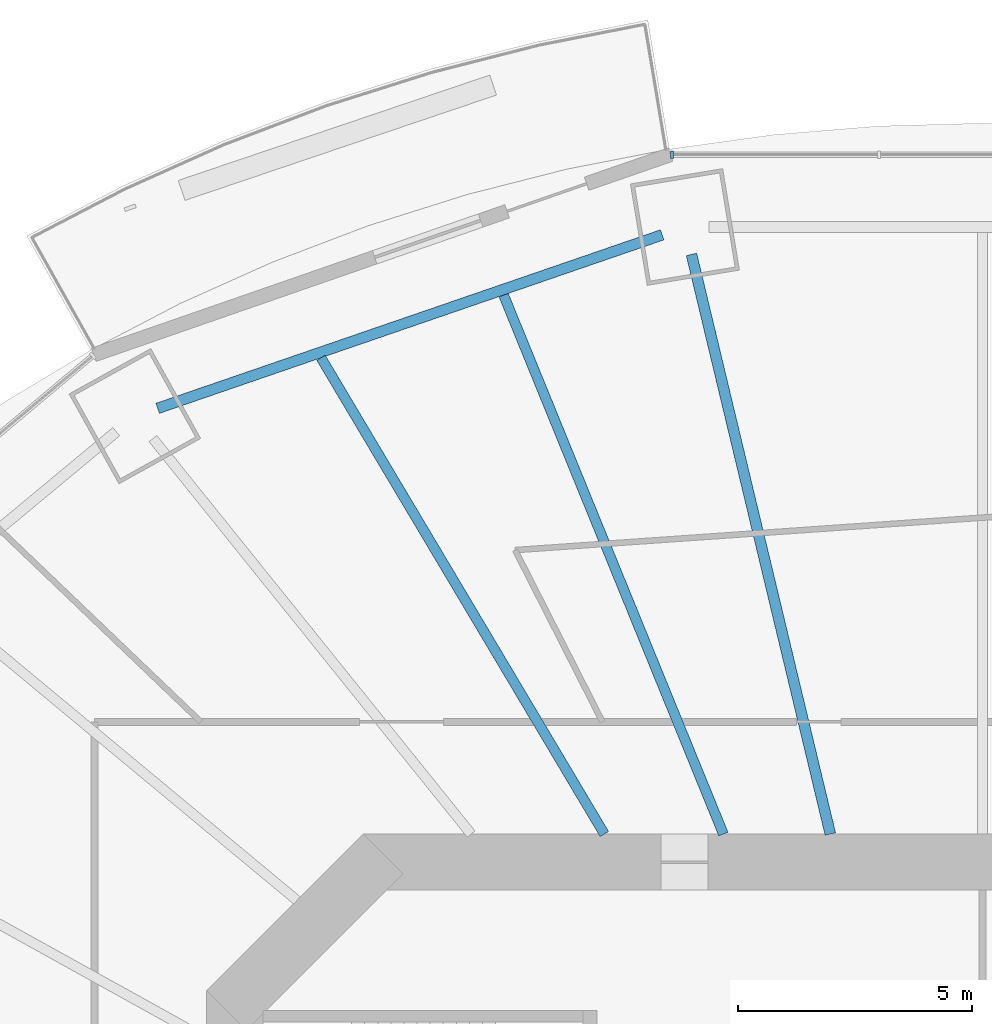
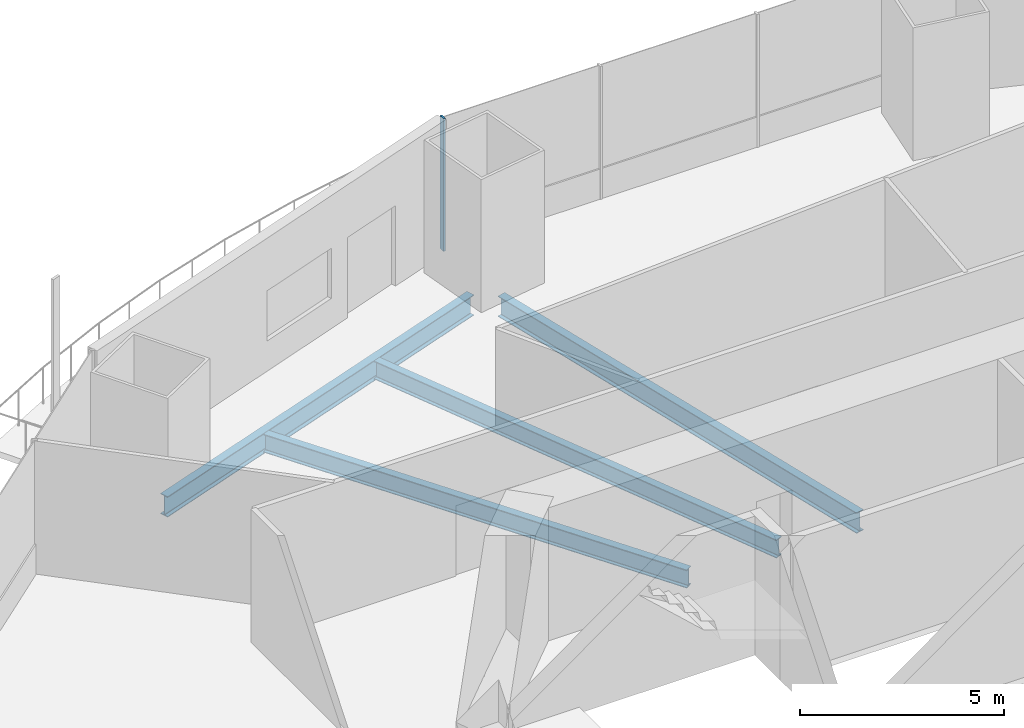
# One storey, part 7 of 22: 4 beams, 1 member, 1 element without a shape of its own.
"""IFC4 building model written with IfcOpenShell, lengths in metres."""

import ifcopenshell
import ifcopenshell.guid

model = None  # the IFC model being written
_history = None  # IfcOwnerHistory: only IFC2X3 demands one
_inside = {}  # id of a spatial element -> (the spatial element, [elements in it])
_under = {}  # id of a project, library or spatial element -> (it, [spatial elements below it])
_declared = {}  # id of a project -> (the project, [libraries it declares])
_typed = {}  # id of a type object -> (the type object, [elements of that type])
_made_of = {}  # id of a material, layer set ... -> (it, [elements and type objects made of it])


def new_model(schema):
    """Start an empty IFC model of exactly this schema.

    Asked for "IFC4X3", IfcOpenShell would pick the latest addendum, in which some entities
    have other attributes; the version numbers below select the first issue.
    IFC2X3 requires an IfcOwnerHistory on every rooted entity: one is made here for all.
    """
    global model, _history
    if schema == "IFC4X3":
        model = ifcopenshell.file(schema_version=(4, 3, 0, 0))
    else:
        model = ifcopenshell.file(schema=schema)
    _inside.clear()
    _under.clear()
    _declared.clear()
    _typed.clear()
    _made_of.clear()
    _history = None
    if model.schema == "IFC2X3":
        org = make("IfcOrganization", Name="unknown")
        user = make(
            "IfcPersonAndOrganization",
            ThePerson=make("IfcPerson", FamilyName="unknown"),
            TheOrganization=org,
        )
        app = make(
            "IfcApplication",
            ApplicationDeveloper=org,
            Version="unknown",
            ApplicationFullName="unknown",
            ApplicationIdentifier="unknown",
        )
        _history = make(
            "IfcOwnerHistory",
            OwningUser=user,
            OwningApplication=app,
            ChangeAction="ADDED",
            CreationDate=0,
        )
    return model


def make(cls, **values):
    """One entity of the class cls with the attributes given. An attribute that is None is left unset."""
    return model.create_entity(
        cls, **{name: value for name, value in values.items() if value is not None}
    )


def rooted(cls, **values):
    """An entity with a GlobalId (a new one), such as an element, a storey or a relation."""
    return make(cls, GlobalId=ifcopenshell.guid.new(), OwnerHistory=_history, **values)


def si_unit(unit_type, name, prefix=None):
    """IfcSIUnit, for example si_unit("LENGTHUNIT", "METRE", prefix="MILLI")."""
    return make("IfcSIUnit", UnitType=unit_type, Prefix=prefix, Name=name)


def assignment(units):
    """IfcUnitAssignment: the units of a project."""
    return None if units is None else make("IfcUnitAssignment", Units=units)


def point(xyz):
    """IfcCartesianPoint."""
    return None if xyz is None else make("IfcCartesianPoint", Coordinates=xyz)


def direction(xyz):
    """IfcDirection."""
    return None if xyz is None else make("IfcDirection", DirectionRatios=xyz)


def frame(location, z_axis=None, x_axis=None):
    """IfcAxis2Placement3D, a coordinate frame: its origin and axes. An axis left out is left unset."""
    return make(
        "IfcAxis2Placement3D",
        Location=point(location),
        Axis=direction(z_axis),
        RefDirection=direction(x_axis),
    )


def frame_2d(location, x_axis=None):
    """IfcAxis2Placement2D, a coordinate frame in the plane: its origin and x axis."""
    return make(
        "IfcAxis2Placement2D", Location=point(location), RefDirection=direction(x_axis)
    )


def origin():
    """The frame at (0, 0, 0) with its axes left unset."""
    return frame((0.0, 0.0, 0.0))


def origin_2d():
    """The frame at (0, 0) in the plane with its x axis left unset."""
    return frame_2d((0.0, 0.0))


def place(relative_to, where):
    """IfcLocalPlacement: puts the frame where relative to a parent placement (None: the world)."""
    return make(
        "IfcLocalPlacement", PlacementRelTo=relative_to, RelativePlacement=where
    )


def context(
    kind, dimensions, precision=None, world=None, true_north=None, identifier=None
):
    """IfcGeometricRepresentationContext, for example the 3D "Model" context."""
    return make(
        "IfcGeometricRepresentationContext",
        ContextIdentifier=identifier,
        ContextType=kind,
        CoordinateSpaceDimension=dimensions,
        Precision=precision,
        WorldCoordinateSystem=world,
        TrueNorth=true_north,
    )


def subcontext(parent, identifier, kind, view, scale=None):
    """IfcGeometricRepresentationSubContext, for example "Body" below "Model"."""
    return make(
        "IfcGeometricRepresentationSubContext",
        ContextIdentifier=identifier,
        ContextType=kind,
        ParentContext=parent,
        TargetScale=scale,
        TargetView=view,
    )


def project(units=None, contexts=None):
    """IfcProject with its units and contexts."""
    return rooted(
        "IfcProject",
        Name="project",
        RepresentationContexts=contexts,
        UnitsInContext=assignment(units),
    )


def spatial(cls, under=None, at=None, **own):
    """A site, building, storey or space (cls), placed at a placement, below another one or the project."""
    s = rooted(cls, ObjectPlacement=at, **own)
    if under is not None:
        _under.setdefault(under.id(), (under, []))[1].append(s)
    return s


def profile(cls, at=None, kind="AREA", **sizes):
    """A parametric profile (cls). Its sizes go by their IFC names, for example OverallWidth=200.0."""
    return make(cls, ProfileType=kind, Position=at, **sizes)


def rectangle(**sizes):
    """IfcRectangleProfileDef."""
    return profile("IfcRectangleProfileDef", **sizes)


def i_section(**sizes):
    """IfcIShapeProfileDef."""
    return profile("IfcIShapeProfileDef", **sizes)


def extrude(swept, where, along, depth):
    """IfcExtrudedAreaSolid: the profile swept, set in the frame where, extruded along a direction by depth."""
    return make(
        "IfcExtrudedAreaSolid",
        SweptArea=swept,
        Position=where,
        ExtrudedDirection=direction(along),
        Depth=depth,
    )


def shape(context_of_items, identifier, shape_type, items):
    """IfcShapeRepresentation: the items that make up one representation, for example the "Body"."""
    return make(
        "IfcShapeRepresentation",
        ContextOfItems=context_of_items,
        RepresentationIdentifier=identifier,
        RepresentationType=shape_type,
        Items=items,
    )


def material(Name=None, Category=None):
    """IfcMaterial."""
    return make("IfcMaterial", Name=Name, Category=Category)


def material_profile(
    of_material, cross_section, Name=None, Category=None, Priority=None
):
    """IfcMaterialProfile: a cross section and its material."""
    return make(
        "IfcMaterialProfile",
        Name=Name,
        Material=of_material,
        Profile=cross_section,
        Priority=Priority,
        Category=Category,
    )


def profile_set(profiles, Name=None, composite=None):
    """IfcMaterialProfileSet."""
    return make(
        "IfcMaterialProfileSet",
        Name=Name,
        MaterialProfiles=profiles,
        CompositeProfile=composite,
    )


def made_of(thing, what):
    """Note that an element or type object is made of a material, layer set ...; save() writes the relation."""
    if what is not None:
        _made_of.setdefault(what.id(), (what, []))[1].append(thing)
    return thing


def type_object(cls, material=None, **own):
    """A type object (cls), such as IfcWallType, which elements share."""
    return made_of(rooted(cls, **own), material)


def element(
    cls,
    number,
    at=None,
    inside=None,
    cuts=None,
    type_object=None,
    material=None,
    context=None,
    identifier="Body",
    shape_type=None,
    held_by="IfcProductDefinitionShape",
    body=None,
    shapes=None,
    **own,
):
    """One element of the class cls, such as IfcWall. Its Tag is "e" and its number.

    at: its placement. inside: the storey or other place that contains it. cuts: it is an
    opening in that element (IfcRelVoidsElement). A single representation is given by context,
    identifier, shape_type and body (its items); several are given by shapes. held_by: the class
    of the entity that holds the representations. save() writes the other relations.
    """
    e = rooted(cls, Tag="e%d" % number, ObjectPlacement=at, **own)
    if body is not None:
        shapes = [shape(context, identifier, shape_type, body)]
    if shapes is not None:
        e.Representation = make(held_by, Representations=shapes)
    if inside is not None:
        _inside.setdefault(inside.id(), (inside, []))[1].append(e)
    if cuts is not None:
        rooted(
            "IfcRelVoidsElement", RelatingBuildingElement=cuts, RelatedOpeningElement=e
        )
    if type_object is not None:
        _typed.setdefault(type_object.id(), (type_object, []))[1].append(e)
    return made_of(e, material)


def aggregate(whole, parts):
    """IfcRelAggregates: a whole, such as a stair, and the parts it consists of."""
    return rooted("IfcRelAggregates", RelatingObject=whole, RelatedObjects=parts)


def save(model, path):
    """Write the relations noted so far, then the file.

    IfcRelAggregates (storeys below a building ...), IfcRelContainedInSpatialStructure (elements
    in a storey), IfcRelDefinesByType, IfcRelAssociatesMaterial and IfcRelDeclares: one each for
    every whole, place, type object, material and project.
    """
    for whole, parts in _under.values():
        aggregate(whole, parts)
    for where, things in _inside.values():
        rooted(
            "IfcRelContainedInSpatialStructure",
            RelatedElements=things,
            RelatingStructure=where,
        )
    for kind, things in _typed.values():
        rooted("IfcRelDefinesByType", RelatedObjects=things, RelatingType=kind)
    for what, things in _made_of.values():
        rooted("IfcRelAssociatesMaterial", RelatedObjects=things, RelatingMaterial=what)
    for by, libraries in _declared.values():
        rooted("IfcRelDeclares", RelatingContext=by, RelatedDefinitions=libraries)
    model.write(path)


model = new_model("IFC4")

# Units and contexts
model_context = context("Model", 3, precision=1e-05, world=origin(), true_north=direction((0.0, 1.0)))
body_context = subcontext(model_context, "Body", "Model", "MODEL_VIEW")
ifc_project = project(units=[si_unit("LENGTHUNIT", "METRE"), si_unit("AREAUNIT", "SQUARE_METRE"), si_unit("VOLUMEUNIT", "CUBIC_METRE"), si_unit("PLANEANGLEUNIT", "RADIAN"), si_unit("MASSUNIT", "GRAM", prefix="KILO")], contexts=[model_context])

# Site, building, storey
site_placement = place(None, origin())
site = spatial("IfcSite", under=ifc_project, at=site_placement, CompositionType="ELEMENT")
building_placement = place(site_placement, origin())
building = spatial("IfcBuilding", under=site, at=building_placement, Name="Marenthal Gate Tower", CompositionType="ELEMENT")
storey_placement = place(building_placement, frame((0.0, 0.0, 111.85009765625)))
storey = spatial("IfcBuildingStorey", under=building, at=storey_placement, Name="L23", CompositionType="ELEMENT", Elevation=111.85009765625)

# Curtain wall, member
ifc_material_1 = material(Name="Aluminium and glass", Category="aluminium")
curtain_wall_type = type_object("IfcCurtainWallType", Name="Curtain wall typical low", PredefinedType="NOTDEFINED", material=ifc_material_1)
curtain_wall_placement = place(storey_placement, origin())
curtain_wall = element("IfcCurtainWall", 1, at=curtain_wall_placement, inside=storey, type_object=curtain_wall_type, Name="Curtain wall L23 bay 4", PredefinedType="NOTDEFINED")
ifc_material_2 = material(Name="Aluminium", Category="aluminium")
ifc_material_profile_1 = material_profile(ifc_material_2, rectangle(XDim=0.159912109375, YDim=0.06005859375, at=origin_2d()), Name="60x160 aluminium mullion")
ifc_profile_set_1 = profile_set([ifc_material_profile_1], Name="Aluminium")
member_type = type_object("IfcMemberType", Name="Mullion 60x160 typical low", PredefinedType="MULLION", material=ifc_profile_set_1)
member_placement = place(storey_placement, frame((-6.647216796875, 28.13671875, 0.0), z_axis=(0.0, 0.0, 1.0), x_axis=(0.0, -1.0, 0.0)))
member = element("IfcMember", 2, at=member_placement, type_object=member_type, Name="Mullion L23 bay 4.4", PredefinedType="MULLION", context=body_context, shape_type="SweptSolid", body=[
    extrude(rectangle(XDim=0.159912109375, YDim=0.06005859375, at=origin_2d()), origin(), (0.0, 0.0, 1.0), 3.969970703125),
])
aggregate(curtain_wall, [member])

# Beams
ifc_material_3 = material(Name="Steel S355", Category="steel")
ifc_material_profile_2 = material_profile(ifc_material_3, i_section(OverallWidth=0.2119140625, OverallDepth=0.5439453125, WebThickness=0.01318359375, FlangeThickness=0.021240234375, FilletRadius=0.0126953125, at=origin_2d()), Name="W530X123")
ifc_profile_set_2 = profile_set([ifc_material_profile_2], Name="Steel S355")
beam_type_1 = type_object("IfcBeamType", Name="W530X123 beam", PredefinedType="BEAM", material=ifc_profile_set_2)
beam_1_placement = place(storey_placement, frame((-10.248291015625, 25.131591796875, -0.4521484375), z_axis=(0.377598266022, -0.925969518665, 0.0), x_axis=(0.925969518665, 0.377598266022, 0.0)))
element("IfcBeam", 3, at=beam_1_placement, inside=storey, type_object=beam_type_1, Name="BM-L23-23", PredefinedType="BEAM", context=body_context, shape_type="SweptSolid", body=[
    extrude(i_section(OverallWidth=0.2119140625, OverallDepth=0.5439453125, WebThickness=0.01318359375, FlangeThickness=0.021240234375, FilletRadius=0.0126953125, at=origin_2d()), origin(), (0.0, 0.0, 1.0), 12.453369140625),
])
beam_2_placement = place(storey_placement, frame((-14.154541015625, 23.7880859375, -0.4521484375), z_axis=(0.511357862228, -0.859367870436, 0.0), x_axis=(0.859367870436, 0.511357862228, 0.0)))
element("IfcBeam", 4, at=beam_2_placement, inside=storey, type_object=beam_type_1, Name="BM-L23-24", PredefinedType="BEAM", context=body_context, shape_type="SweptSolid", body=[
    extrude(i_section(OverallWidth=0.2119140625, OverallDepth=0.5439453125, WebThickness=0.01318359375, FlangeThickness=0.021240234375, FilletRadius=0.0126953125, at=origin_2d()), origin(), (0.0, 0.0, 1.0), 11.855224609375),
])
ifc_material_4 = material(Name="Steel S355", Category="steel")
ifc_material_profile_3 = material_profile(ifc_material_4, i_section(OverallWidth=0.22900390625, OverallDepth=0.612060546875, WebThickness=0.011962890625, FlangeThickness=0.01953125, FilletRadius=0.0126953125, at=origin_2d()), Name="W610X125")
ifc_profile_set_3 = profile_set([ifc_material_profile_3], Name="Steel S355")
beam_type_2 = type_object("IfcBeamType", Name="W610X125 beam", PredefinedType="BEAM", material=ifc_profile_set_3)
beam_3_placement = place(storey_placement, frame((-6.228515625, 26.000732421875, -0.486083984375), z_axis=(0.232968867139, -0.972484193673, 0.0), x_axis=(0.972484193673, 0.232968867139, 0.0)))
element("IfcBeam", 5, at=beam_3_placement, inside=storey, type_object=beam_type_2, Name="BM-L23-05", PredefinedType="BEAM", context=body_context, shape_type="SweptSolid", body=[
    extrude(i_section(OverallWidth=0.22900390625, OverallDepth=0.612060546875, WebThickness=0.011962890625, FlangeThickness=0.01953125, FilletRadius=0.0126953125, at=origin_2d()), origin(), (0.0, 0.0, 1.0), 12.75146484375),
])
beam_4_placement = place(storey_placement, frame((-6.855224609375, 26.419921875, -0.486083984375), z_axis=(-0.945631108542, -0.325241151391, 0.0), x_axis=(0.325241151391, -0.945631108542, 0.0)))
element("IfcBeam", 6, at=beam_4_placement, inside=storey, type_object=beam_type_2, Name="BM-L23-45", PredefinedType="BEAM", context=body_context, shape_type="SweptSolid", body=[
    extrude(i_section(OverallWidth=0.22900390625, OverallDepth=0.612060546875, WebThickness=0.011962890625, FlangeThickness=0.01953125, FilletRadius=0.0126953125, at=origin_2d()), origin(), (0.0, 0.0, 1.0), 11.4150390625),
])

save(model, "model.ifc")
